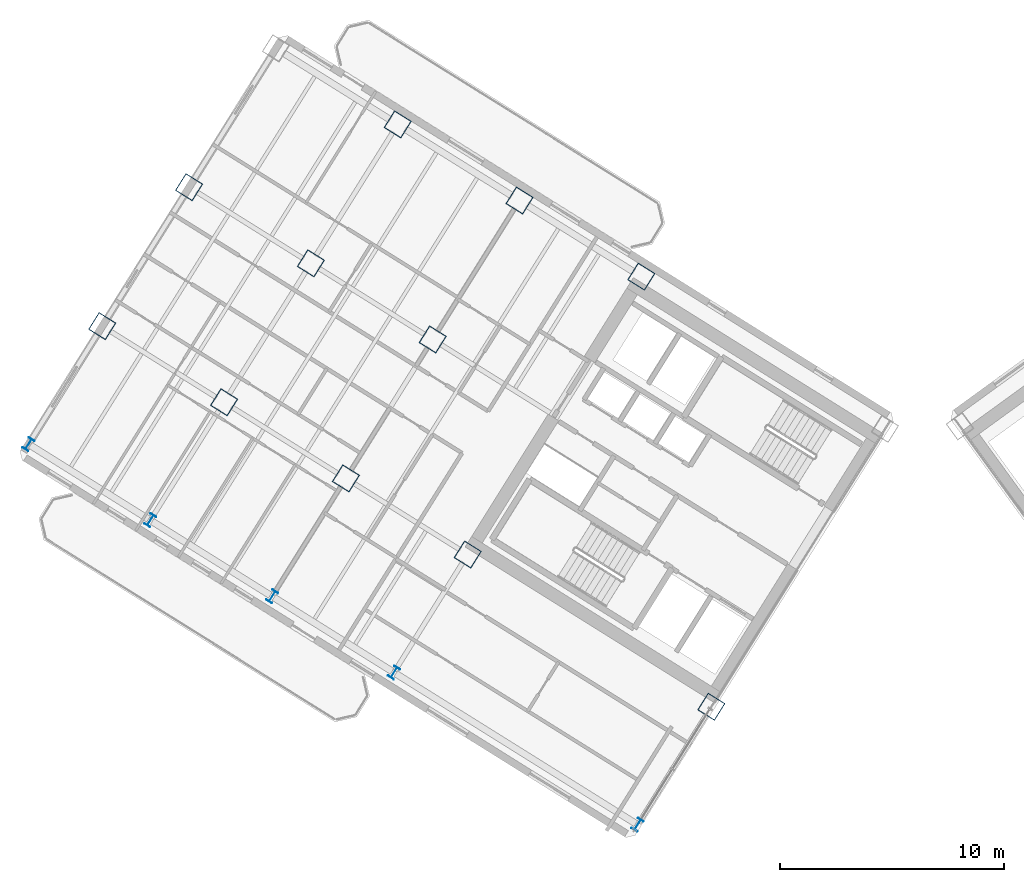
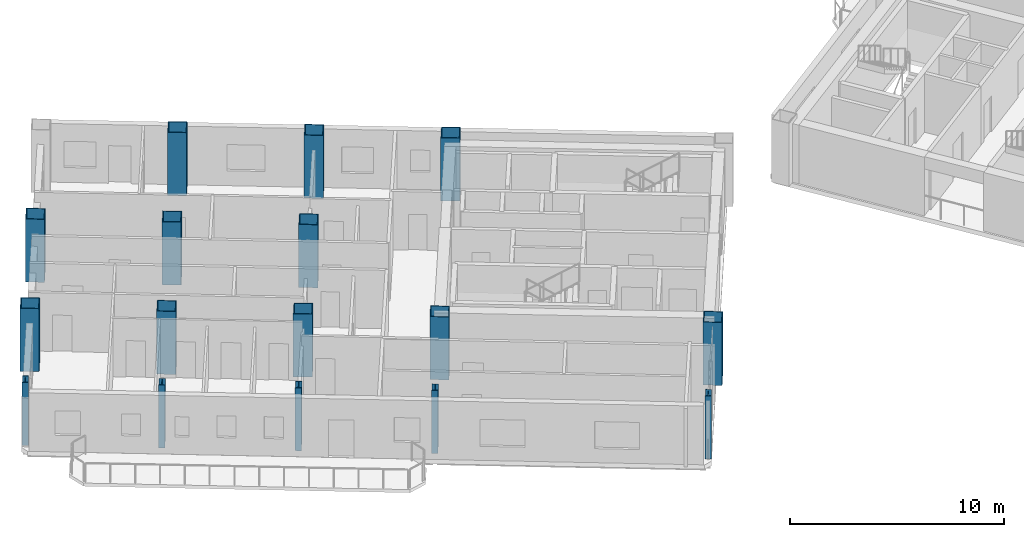
# One storey, part 1 of 18: 16 columns.
"""IFC4 building model written with IfcOpenShell, lengths in metres."""

from ifc_helpers import new_model, si_unit, direction, frame, origin, origin_2d, place, context, subcontext, project, spatial, hollow_rectangle, i_section, extrude, source, transform, mapped, material, material_profile, profile_set, type_object, element, save


model = new_model("IFC4")

# Units and contexts
model_context = context("Model", 3, precision=1e-05, world=origin(), true_north=direction((0.0, 1.0)))
body_context = subcontext(model_context, "Body", "Model", "MODEL_VIEW")
ifc_project = project(units=[si_unit("LENGTHUNIT", "METRE"), si_unit("AREAUNIT", "SQUARE_METRE"), si_unit("VOLUMEUNIT", "CUBIC_METRE"), si_unit("PLANEANGLEUNIT", "RADIAN"), si_unit("MASSUNIT", "GRAM", prefix="KILO")], contexts=[model_context])

# Site, building, storey
site_placement = place(None, origin())
site = spatial("IfcSite", under=ifc_project, at=site_placement, CompositionType="ELEMENT")
building_placement = place(site_placement, origin())
building = spatial("IfcBuilding", under=site, at=building_placement, Name="Tlacorven Tower", CompositionType="ELEMENT")
storey_placement = place(building_placement, frame((0.0, 0.0, 140.699951171875)))
storey = spatial("IfcBuildingStorey", under=building, at=storey_placement, Name="L35", CompositionType="ELEMENT", Elevation=140.699951171875)

# Columns
ifc_material = material(Name="Steel S460M", Category="steel")
ifc_material_profile_1 = material_profile(ifc_material, hollow_rectangle(XDim=0.89990234375, YDim=0.89990234375, WallThickness=0.035888671875, at=origin_2d()), Name="BOX 900X900X36")
ifc_profile_set_1 = profile_set([ifc_material_profile_1], Name="Steel S460M")
column_type_1 = type_object("IfcColumnType", Name="COL-TWR-S2", PredefinedType="COLUMN", material=ifc_profile_set_1)
shared_shape_1 = source(origin(), body_context, "Body", "SweptSolid", [
    extrude(hollow_rectangle(XDim=0.89990234375, YDim=0.89990234375, WallThickness=0.035888671875, at=origin_2d()), origin(), (0.0, 0.0, 1.0), 3.60009765625),
])
for number, where, z_axis, x_axis, name in (
    (1, (33.046142578125, 12.0869140625, 0.0), (0.0, 0.0, 1.0), (-0.848048096156, 0.529919264233, 0.0), "L35 column COL-L35-W1-3"),
    (2, (29.927978515625, 31.25146484375, 0.0), (0.0, 0.0, 1.0), (-0.848048096156, 0.529919264233, 0.0), "L35 column COL-L35-W3-1"),
    (3, (22.191162109375, 18.869873046875, 0.0), (0.0, 0.0, 1.0), (-0.848048096156, 0.529919264233, 0.0), "L35 column COL-L35-W3-3"),
    (4, (24.50048828125, 34.642822265625, 0.0), (0.0, 0.0, 1.0), (-0.848048096156, 0.529919264233, 0.0), "L35 column COL-L35-W4-1"),
    (5, (20.632080078125, 28.4521484375, 0.0), (0.0, 0.0, 1.0), (-0.848048096156, 0.529919264233, 0.0), "L35 column COL-L35-W4-2"),
    (6, (16.763671875, 22.26123046875, 0.0), (0.0, 0.0, 1.0), (-0.848048096156, 0.529919264233, 0.0), "L35 column COL-L35-W4-3"),
    (7, (19.072998046875, 38.034423828125, 0.0), (0.0, 0.0, 1.0), (-0.848048096156, 0.529919264233, 0.0), "L35 column COL-L35-W5-1"),
    (8, (15.20458984375, 31.843505859375, 0.0), (0.0, 0.0, 1.0), (-0.848048096156, 0.529919264233, 0.0), "L35 column COL-L35-W5-2"),
    (9, (11.336181640625, 25.65283203125, 0.0), (0.0, 0.0, 1.0), (-0.848048096156, 0.529919264233, 0.0), "L35 column COL-L35-W5-3"),
    (10, (9.777099609375, 35.235107421875, 0.0), (0.0, 0.0, 1.0), (-0.848048096156, 0.529919264233, 0.0), "L35 column COL-L35-W6-2"),
    (11, (5.90869140625, 29.044189453125, 0.0), (0.0, 0.0, 1.0), (-0.848048096156, 0.529919264233, 0.0), "L35 column COL-L35-W6-3"),
):
    element("IfcColumn", number, at=place(storey_placement, frame(where, z_axis=z_axis, x_axis=x_axis)), inside=storey, type_object=column_type_1, Name=name, PredefinedType="COLUMN", context=body_context, shape_type="MappedRepresentation", body=[
        mapped(shared_shape_1, transform((0.0, 0.0, 0.0), scale=1.0)),
    ])
ifc_material_profile_2 = material_profile(ifc_material, i_section(OverallWidth=0.300048828125, OverallDepth=0.550048828125, WebThickness=0.014892578125, FlangeThickness=0.029052734375, at=origin_2d()), Name="HEB 550")
ifc_profile_set_2 = profile_set([ifc_material_profile_2], Name="Steel S460M")
column_type_2 = type_object("IfcColumnType", Name="COL-TWR-P2", PredefinedType="COLUMN", material=ifc_profile_set_2)
shared_shape_2 = source(origin(), body_context, "Body", "SweptSolid", [
    extrude(i_section(OverallWidth=0.300048828125, OverallDepth=0.550048828125, WebThickness=0.014892578125, FlangeThickness=0.029052734375, at=origin_2d()), origin(), (0.0, 0.0, 1.0), 3.60009765625),
])
for number, where, z_axis, x_axis, name in (
    (12, (29.7607421875, 6.8291015625, 0.0), (0.0, 0.0, 1.0), (-0.848048096156, 0.529919264233, 0.0), "L35 column COL-L35-W1-4"),
    (13, (18.905517578125, 13.612060546875, 0.0), (0.0, 0.0, 1.0), (-0.848048096156, 0.529919264233, 0.0), "L35 column COL-L35-W3-4"),
    (14, (13.47802734375, 17.00341796875, 0.0), (0.0, 0.0, 1.0), (-0.848048096156, 0.529919264233, 0.0), "L35 column COL-L35-W4-4"),
    (15, (8.050537109375, 20.39501953125, 0.0), (0.0, 0.0, 1.0), (-0.848048096156, 0.529919264233, 0.0), "L35 column COL-L35-W5-4"),
    (16, (2.623046875, 23.786376953125, 0.0), (0.0, 0.0, 1.0), (-0.848048096156, 0.529919264233, 0.0), "L35 column COL-L35-W6-4"),
):
    element("IfcColumn", number, at=place(storey_placement, frame(where, z_axis=z_axis, x_axis=x_axis)), inside=storey, type_object=column_type_2, Name=name, PredefinedType="COLUMN", context=body_context, shape_type="MappedRepresentation", body=[
        mapped(shared_shape_2, transform((0.0, 0.0, 0.0), scale=1.0)),
    ])

save(model, "model.ifc")
